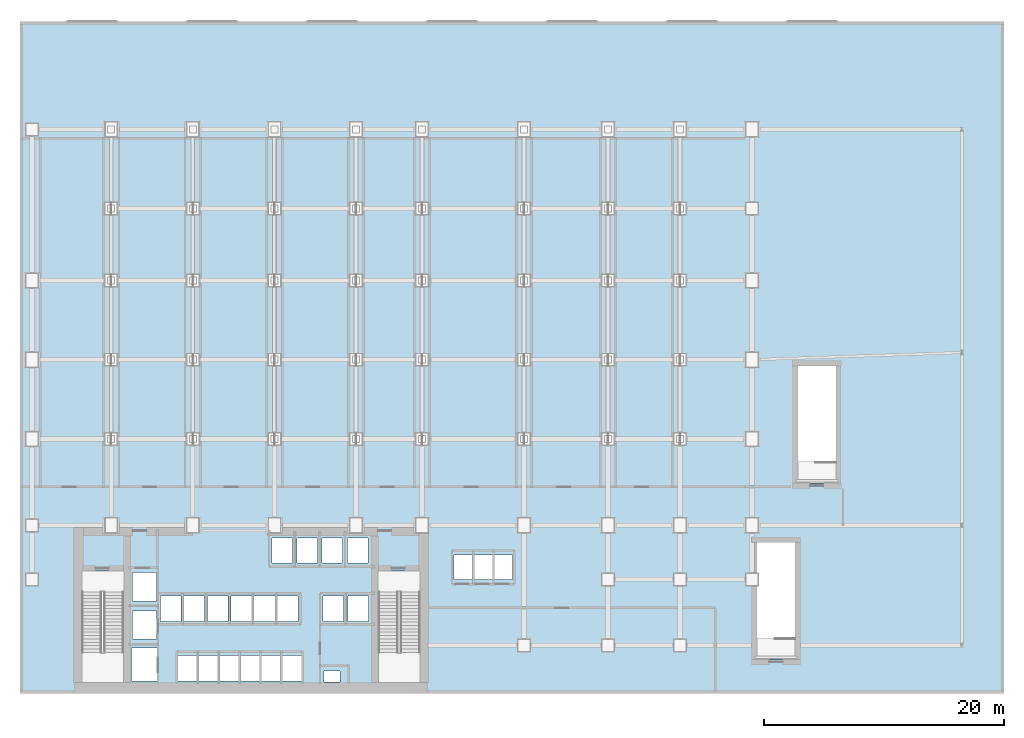
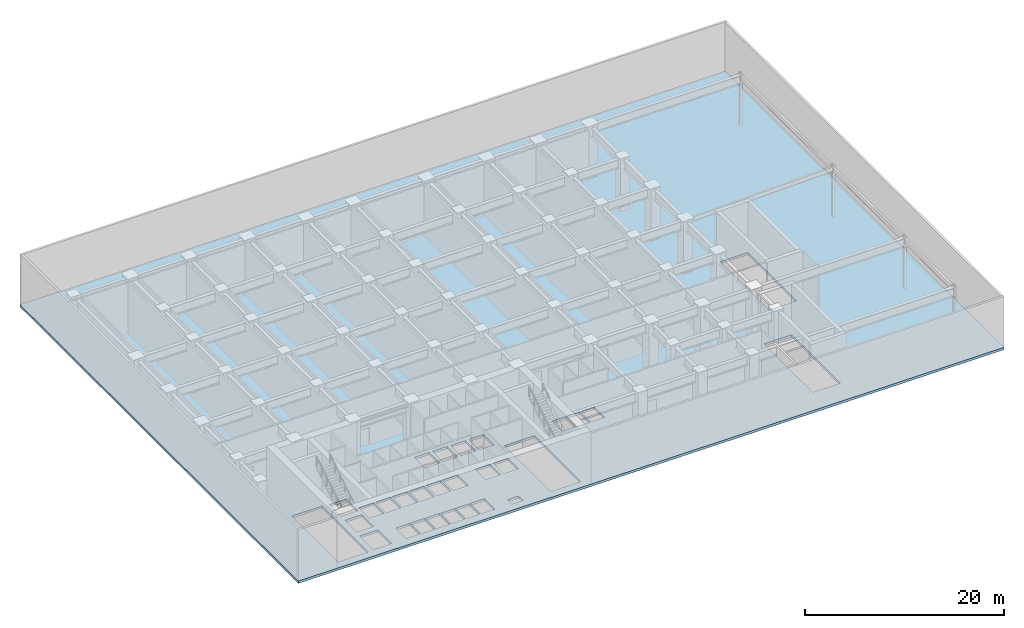
# One storey, part 7 of 15: 1 slab.
"""IFC4 building model written with IfcOpenShell, lengths in metres."""

from ifc_helpers import new_model, si_unit, derived_unit, direction, frame, origin, place, context, subcontext, project, spatial, polyline, outline, extrude, material, layer, layer_set, type_object, element, save


model = new_model("IFC4")

# Units and contexts
model_context = context("Model", 3, precision=1e-05, world=origin(), true_north=direction((0.0, 1.0)))
body_context = subcontext(model_context, "Body", "Model", "MODEL_VIEW")
ifc_project = project(units=[si_unit("LENGTHUNIT", "METRE"), si_unit("AREAUNIT", "SQUARE_METRE"), si_unit("VOLUMEUNIT", "CUBIC_METRE"), si_unit("PLANEANGLEUNIT", "RADIAN"), si_unit("MASSUNIT", "GRAM", prefix="KILO"), derived_unit("THERMALTRANSMITTANCEUNIT", [(si_unit("POWERUNIT", "WATT"), 1), (si_unit("LENGTHUNIT", "METRE"), -2), (si_unit("THERMODYNAMICTEMPERATUREUNIT", "KELVIN"), -1)])], contexts=[model_context])

# Site, building, storey
site_placement = place(None, origin())
site = spatial("IfcSite", under=ifc_project, at=site_placement, CompositionType="ELEMENT")
building_placement = place(site_placement, origin())
building = spatial("IfcBuilding", under=site, at=building_placement, Name="Skarnbrae Concourse Arena and Tower", CompositionType="ELEMENT")
storey_placement = place(building_placement, frame((0.0, 0.0, 26.0)))
storey = spatial("IfcBuildingStorey", under=building, at=storey_placement, Name="L05", CompositionType="ELEMENT", Elevation=26.0)

# Slab
ifc_material = material(Name="Concrete 40 MPa (C40/50)", Category="concrete")
ifc_layer = layer(ifc_material, 0.300048828125)
ifc_layer_set = layer_set([ifc_layer], Name="Concrete 40 MPa (C40/50)")
slab_type = type_object("IfcSlabType", Name="SLAB-PODIUM-300", PredefinedType="FLOOR", material=ifc_layer_set)
slab_placement = place(storey_placement, frame((0.0, 0.0, -0.300048828125)))
element("IfcSlab", 1, at=slab_placement, inside=storey, type_object=slab_type, Name="L05 Structural floor slab", PredefinedType="FLOOR", context=body_context, shape_type="SweptSolid", body=[
    extrude(outline(polyline([(0.0, 0.0), (82.0, 0.0), (82.0, 56.0), (0.0, 56.0), (0.0, 0.0)]), holes=[polyline([(13.14501953125, 3.155029296875), (14.7548828125, 3.155029296875), (14.7548828125, 1.044921875), (13.14501953125, 1.044921875), (13.14501953125, 3.155029296875)]), polyline([(16.4951171875, 3.155029296875), (16.4951171875, 1.044921875), (14.885009765625, 1.044921875), (14.885009765625, 3.155029296875), (16.4951171875, 3.155029296875)]), polyline([(18.235107421875, 3.155029296875), (18.235107421875, 1.044921875), (16.625, 1.044921875), (16.625, 3.155029296875), (18.235107421875, 3.155029296875)]), polyline([(19.97509765625, 3.155029296875), (19.97509765625, 1.044921875), (18.364990234375, 1.044921875), (18.364990234375, 3.155029296875), (19.97509765625, 3.155029296875)]), polyline([(21.715087890625, 3.155029296875), (21.715087890625, 1.044921875), (20.10498046875, 1.044921875), (20.10498046875, 3.155029296875), (21.715087890625, 3.155029296875)]), polyline([(11.455078125, 3.780029296875), (11.455078125, 1.02001953125), (9.294921875, 1.02001953125), (9.294921875, 3.780029296875), (11.455078125, 3.780029296875)]), polyline([(8.64990234375, 0.89990234375), (5.14990234375, 0.89990234375), (5.14990234375, 10.199951171875), (8.64990234375, 10.199951171875), (8.64990234375, 0.89990234375)]), polyline([(9.39501953125, 6.8798828125), (11.35498046875, 6.8798828125), (11.35498046875, 4.52001953125), (9.39501953125, 4.52001953125), (9.39501953125, 6.8798828125)]), polyline([(13.429931640625, 8.10498046875), (13.429931640625, 5.9951171875), (11.719970703125, 5.9951171875), (11.719970703125, 8.10498046875), (13.429931640625, 8.10498046875)]), polyline([(15.3798828125, 8.10498046875), (15.3798828125, 5.9951171875), (13.669921875, 5.9951171875), (13.669921875, 8.10498046875), (15.3798828125, 8.10498046875)]), polyline([(17.330078125, 8.10498046875), (17.330078125, 5.9951171875), (15.6201171875, 5.9951171875), (15.6201171875, 8.10498046875), (17.330078125, 8.10498046875)]), polyline([(19.280029296875, 8.10498046875), (19.280029296875, 5.9951171875), (17.570068359375, 5.9951171875), (17.570068359375, 8.10498046875), (19.280029296875, 8.10498046875)]), polyline([(21.22998046875, 8.10498046875), (21.22998046875, 5.9951171875), (19.52001953125, 5.9951171875), (19.52001953125, 8.10498046875), (21.22998046875, 8.10498046875)]), polyline([(11.35498046875, 10.054931640625), (11.35498046875, 7.695068359375), (9.39501953125, 7.695068359375), (9.39501953125, 10.054931640625), (11.35498046875, 10.054931640625)]), polyline([(20.985107421875, 12.955078125), (22.695068359375, 12.955078125), (22.695068359375, 10.844970703125), (20.985107421875, 10.844970703125), (20.985107421875, 12.955078125)]), polyline([(26.64990234375, 1.85009765625), (26.64990234375, 0.949951171875), (25.35009765625, 0.949951171875), (25.35009765625, 1.85009765625), (26.64990234375, 1.85009765625)]), polyline([(23.455078125, 3.155029296875), (23.455078125, 1.044921875), (21.844970703125, 1.044921875), (21.844970703125, 3.155029296875), (23.455078125, 3.155029296875)]), polyline([(33.35009765625, 0.89990234375), (29.85009765625, 0.89990234375), (29.85009765625, 10.199951171875), (33.35009765625, 10.199951171875), (33.35009765625, 0.89990234375)]), polyline([(23.179931640625, 8.10498046875), (23.179931640625, 5.9951171875), (21.469970703125, 5.9951171875), (21.469970703125, 8.10498046875), (23.179931640625, 8.10498046875)]), polyline([(26.945068359375, 8.10498046875), (26.945068359375, 5.9951171875), (25.235107421875, 5.9951171875), (25.235107421875, 8.10498046875), (26.945068359375, 8.10498046875)]), polyline([(29.044921875, 8.10498046875), (29.044921875, 5.9951171875), (27.3349609375, 5.9951171875), (27.3349609375, 8.10498046875), (29.044921875, 8.10498046875)]), polyline([(61.39990234375, 12.60009765625), (64.60009765625, 12.60009765625), (64.60009765625, 2.800048828125), (61.39990234375, 2.800048828125), (61.39990234375, 12.60009765625)]), polyline([(37.679931640625, 11.530029296875), (37.679931640625, 9.469970703125), (36.159912109375, 9.469970703125), (36.159912109375, 11.530029296875), (37.679931640625, 11.530029296875)]), polyline([(39.360107421875, 11.530029296875), (39.360107421875, 9.469970703125), (37.840087890625, 9.469970703125), (37.840087890625, 11.530029296875), (39.360107421875, 11.530029296875)]), polyline([(41.0400390625, 11.530029296875), (41.0400390625, 9.469970703125), (39.52001953125, 9.469970703125), (39.52001953125, 11.530029296875), (41.0400390625, 11.530029296875)]), polyline([(24.794921875, 12.955078125), (24.794921875, 10.844970703125), (23.0849609375, 10.844970703125), (23.0849609375, 12.955078125), (24.794921875, 12.955078125)]), polyline([(26.89501953125, 12.955078125), (26.89501953125, 10.844970703125), (25.18505859375, 10.844970703125), (25.18505859375, 12.955078125), (26.89501953125, 12.955078125)]), polyline([(28.9951171875, 12.955078125), (28.9951171875, 10.844970703125), (27.284912109375, 10.844970703125), (27.284912109375, 12.955078125), (28.9951171875, 12.955078125)]), polyline([(64.800048828125, 27.300048828125), (68.0, 27.300048828125), (68.0, 17.5), (64.800048828125, 17.5), (64.800048828125, 27.300048828125)])]), origin(), (0.0, 0.0, 1.0), 0.300048828125),
])

save(model, "model.ifc")
